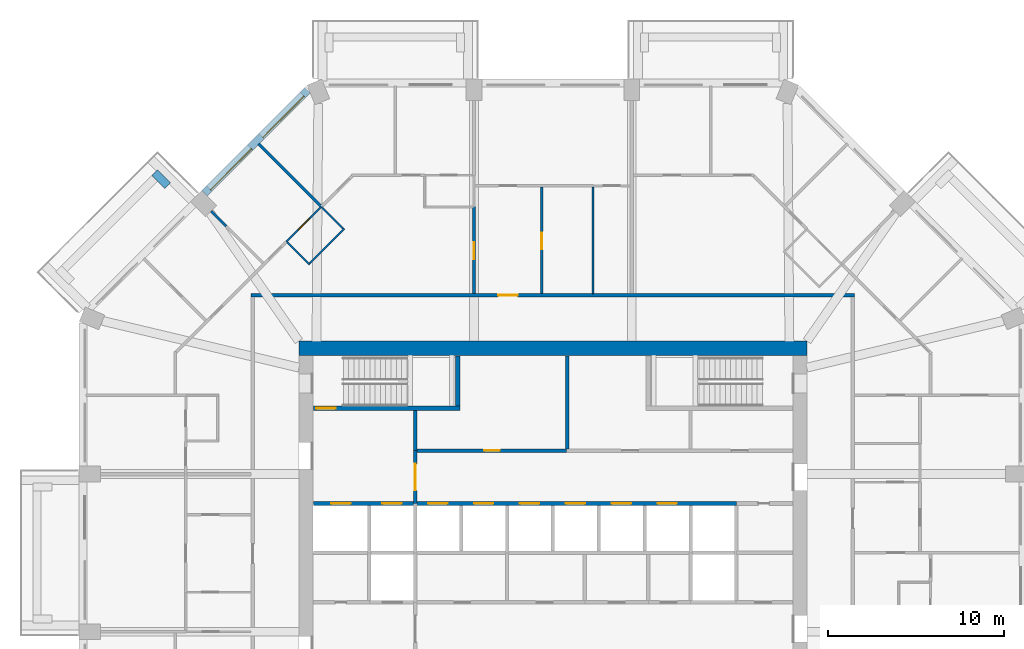
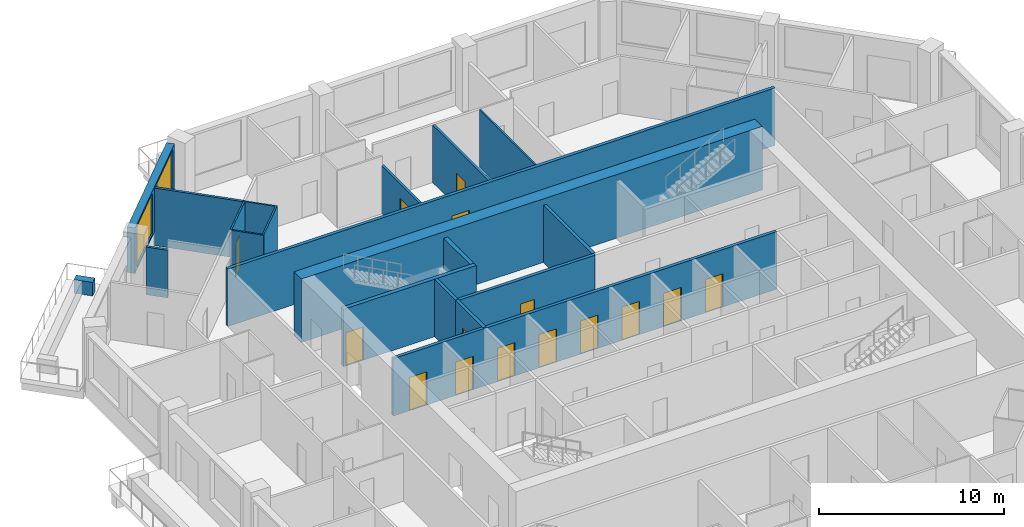
# One storey, part 8 of 13: 20 walls, 15 doors, 2 windows, 17 openings.
"""IFC4 building model written with IfcOpenShell, lengths in metres."""

from ifc_helpers import new_model, si_unit, direction, frame, frame_2d, origin, place, context, subcontext, project, spatial, rectangle, extrude, material, layer, layer_set, type_object, element, fill, save


model = new_model("IFC4")

# Units and contexts
model_context = context("Model", 3, precision=1e-05, world=origin(), true_north=direction((0.0, 1.0)))
body_context = subcontext(model_context, "Body", "Model", "MODEL_VIEW")
ifc_project = project(units=[si_unit("LENGTHUNIT", "METRE"), si_unit("AREAUNIT", "SQUARE_METRE"), si_unit("VOLUMEUNIT", "CUBIC_METRE"), si_unit("PLANEANGLEUNIT", "RADIAN"), si_unit("MASSUNIT", "GRAM", prefix="KILO")], contexts=[model_context])

# Site, building, storey
site_placement = place(None, origin())
site = spatial("IfcSite", under=ifc_project, at=site_placement, CompositionType="ELEMENT")
building_placement = place(site_placement, origin())
building = spatial("IfcBuilding", under=site, at=building_placement, Name="Msitu Wima Residences", CompositionType="ELEMENT")
storey_placement = place(building_placement, frame((0.0, 0.0, 152.699951171875)))
storey = spatial("IfcBuildingStorey", under=building, at=storey_placement, Name="L35", CompositionType="ELEMENT", Elevation=152.699951171875)

# Wall
ifc_material_1 = material(Name="Facing brick")
ifc_layer_1 = layer(ifc_material_1, 0.06494140625, Name="Facing brick")
ifc_material_2 = material(Name="Concrete C40/50", Category="concrete")
ifc_layer_2 = layer(ifc_material_2, 0.156005859375, Name="Concrete C40/50")
ifc_material_3 = material(Name="Waterproofing membrane")
ifc_layer_3 = layer(ifc_material_3, 0.00390625, Name="Waterproofing membrane")
ifc_material_4 = material(Name="Planting soil and planting")
ifc_layer_4 = layer(ifc_material_4, 0.22509765625, Name="Planting soil and planting")
ifc_layer_set_1 = layer_set([ifc_layer_1, ifc_layer_2, ifc_layer_3, ifc_layer_4], Name="Concrete C40/50")
wall_type_1 = type_object("IfcWallType", Name="Balcony planter PLANTER PL450", PredefinedType="USERDEFINED", material=ifc_layer_set_1)
wall_1_placement = place(storey_placement, frame((-21.829833984375, 20.804443359375, 0.0), z_axis=(0.0, 0.0, 1.0), x_axis=(-0.707106781187, 0.707106781187, 0.0)))
element("IfcWall", 1, at=wall_1_placement, inside=storey, type_object=wall_type_1, Name="Balcony planter NW1 L35", ObjectType="PLANTER", PredefinedType="USERDEFINED", context=body_context, shape_type="SweptSolid", body=[
    extrude(rectangle(XDim=1.050048828125, YDim=0.449951171875, at=frame_2d((0.52490234375, 0.0))), origin(), (0.0, 0.0, 1.0), 0.900146484375),
])

# Wall, openings, windows
ifc_material_5 = material(Name="Brick (red buff mix)", Category="masonry")
ifc_layer_5 = layer(ifc_material_5, 0.449951171875)
ifc_layer_set_2 = layer_set([ifc_layer_5], Name="Brick (red buff mix)")
wall_type_2 = type_object("IfcWallType", Name="Brick infill wall BW450", PredefinedType="SOLIDWALL", material=ifc_layer_set_2)
wall_2_placement = place(storey_placement, frame((-13.909423828125, 26.214599609375, 0.900146484375), z_axis=(0.0, 0.0, 1.0), x_axis=(-0.707106781187, -0.707106781187, 0.0)))
wall_2 = element("IfcWall", 2, at=wall_2_placement, inside=storey, type_object=wall_type_2, Name="Brick infill wall L35 NW0", PredefinedType="SOLIDWALL", context=body_context, shape_type="SweptSolid", body=[
    extrude(rectangle(XDim=8.251220703125, YDim=0.449951171875, at=frame_2d((4.12548828125, 0.0))), origin(), (0.0, 0.0, 1.0), 3.0),
])
opening_1_placement = place(wall_2_placement, frame((0.37548828125, 0.0, 0.14990234375)))
opening_1 = element("IfcOpeningElement", 3, at=opening_1_placement, cuts=wall_2, Name="Opening W34-35.013", PredefinedType="OPENING", context=body_context, shape_type="SweptSolid", body=[
    extrude(rectangle(XDim=3.300048828125, YDim=2.699951171875, at=frame_2d((1.64990234375, 1.35009765625))), frame((0.0, 0.23486328125, 0.0), z_axis=(0.0, -1.0, 0.0), x_axis=(1.0, 0.0, 0.0)), (0.0, 0.0, 1.0), 0.469970703125),
])
opening_2_placement = place(wall_2_placement, frame((4.57568359375, 0.0, 0.14990234375)))
opening_2 = element("IfcOpeningElement", 4, at=opening_2_placement, cuts=wall_2, Name="Opening W34-35.014", PredefinedType="OPENING", context=body_context, shape_type="SweptSolid", body=[
    extrude(rectangle(XDim=3.300048828125, YDim=2.699951171875, at=frame_2d((1.64990234375, 1.35009765625))), frame((0.0, 0.23486328125, 0.0), z_axis=(0.0, -1.0, 0.0), x_axis=(1.0, 0.0, 0.0)), (0.0, 0.0, 1.0), 0.469970703125),
])
ifc_material_6 = material(Name="Anodised aluminium, bronze finish, clear low-emissivity double glazing", Category="aluminium")
window_type = type_object("IfcWindowType", Name="Window W3300x2700", PartitioningType="DOUBLE_PANEL_VERTICAL", PredefinedType="WINDOW", material=ifc_material_6)
window_1_placement = place(opening_1_placement, origin())
window_1 = element("IfcWindow", 5, at=window_1_placement, inside=storey, type_object=window_type, Name="Window L35 NW0.1", OverallHeight=2.699951171875, OverallWidth=3.300048828125, PartitioningType="SINGLE_PANEL", PredefinedType="WINDOW", context=body_context, shape_type="SweptSolid", body=[
    extrude(rectangle(XDim=3.300048828125, YDim=2.699951171875, at=frame_2d((1.64990234375, 1.35009765625))), frame((0.0, 0.135009765625, 0.0), z_axis=(0.0, -1.0, 0.0), x_axis=(1.0, 0.0, 0.0)), (0.0, 0.0, 1.0), 0.06005859375),
])
fill(opening_1, window_1)
window_2_placement = place(opening_2_placement, origin())
window_2 = element("IfcWindow", 6, at=window_2_placement, inside=storey, type_object=window_type, Name="Window L35 NW0.2", OverallHeight=2.699951171875, OverallWidth=3.300048828125, PartitioningType="SINGLE_PANEL", PredefinedType="WINDOW", context=body_context, shape_type="SweptSolid", body=[
    extrude(rectangle(XDim=3.300048828125, YDim=2.699951171875, at=frame_2d((1.64990234375, 1.35009765625))), frame((0.0, 0.135009765625, 0.0), z_axis=(0.0, -1.0, 0.0), x_axis=(1.0, 0.0, 0.0)), (0.0, 0.0, 1.0), 0.06005859375),
])
fill(opening_2, window_2)

# Wall
ifc_material_7 = material(Name="Concrete C70/85", Category="concrete")
ifc_layer_6 = layer(ifc_material_7, 0.800048828125)
ifc_layer_set_3 = layer_set([ifc_layer_6], Name="Concrete C70/85")
wall_type_3 = type_object("IfcWallType", Name="Core wall CW800 C70/85", PredefinedType="SHEAR", material=ifc_layer_set_3)
wall_3_placement = place(storey_placement, frame((-14.39990234375, 11.60009765625, 0.0), z_axis=(0.0, 0.0, 1.0), x_axis=(1.0, 0.0, 0.0)))
element("IfcWall", 7, at=wall_3_placement, inside=storey, type_object=wall_type_3, Name="Core wall", PredefinedType="SHEAR", context=body_context, shape_type="SweptSolid", body=[
    extrude(rectangle(XDim=28.7998046875, YDim=0.800048828125, at=frame_2d((14.39990234375, 0.0))), origin(), (0.0, 0.0, 1.0), 4.199951171875),
])

# Wall, opening, door
ifc_material_8 = material(Name="Plaster")
ifc_layer_7 = layer(ifc_material_8, 0.011962890625, Name="Plaster")
ifc_material_9 = material(Name="Concrete blockwork", Category="masonry")
ifc_layer_8 = layer(ifc_material_9, 0.176025390625, Name="Concrete blockwork")
ifc_layer_9 = layer(ifc_material_8, 0.011962890625, Name="Plaster")
ifc_layer_set_4 = layer_set([ifc_layer_7, ifc_layer_8, ifc_layer_9], Name="Concrete blockwork")
wall_type_4 = type_object("IfcWallType", Name="Corridor wall FW200", PredefinedType="PARTITIONING", material=ifc_layer_set_4)
wall_4_placement = place(storey_placement, frame((-17.10009765625, 14.60009765625, 0.0), z_axis=(0.0, 0.0, 1.0), x_axis=(1.0, 0.0, 0.0)))
wall_4 = element("IfcWall", 8, at=wall_4_placement, inside=storey, type_object=wall_type_4, Name="Corridor wall", PredefinedType="PARTITIONING", context=body_context, shape_type="SweptSolid", body=[
    extrude(rectangle(XDim=34.2001953125, YDim=0.199951171875, at=frame_2d((17.10009765625, 0.0))), origin(), (0.0, 0.0, 1.0), 3.798095703125),
])
opening_3_placement = place(wall_4_placement, frame((14.0, 0.0, 0.0)))
opening_3 = element("IfcOpeningElement", 9, at=opening_3_placement, cuts=wall_4, Name="Opening D34-35.012", PredefinedType="OPENING", context=body_context, shape_type="SweptSolid", body=[
    extrude(rectangle(XDim=1.10009765625, YDim=2.39990234375, at=frame_2d((0.550048828125, 1.199951171875))), frame((0.0, 0.10986328125, 0.0), z_axis=(0.0, -1.0, 0.0), x_axis=(1.0, 0.0, 0.0)), (0.0, 0.0, 1.0), 0.219970703125),
])
ifc_material_10 = material(Name="Timber flush door, fire resisting, self-closing", Category="wood")
door_type_1 = type_object("IfcDoorType", Name="Flat entrance door D01 1100x2400", OperationType="SINGLE_SWING_LEFT", PredefinedType="DOOR", material=ifc_material_10)
door_1_placement = place(opening_3_placement, origin())
door_1 = element("IfcDoor", 10, at=door_1_placement, inside=storey, type_object=door_type_1, Name="Flat entrance door", OperationType="SINGLE_SWING_LEFT", OverallHeight=2.39990234375, OverallWidth=1.10009765625, PredefinedType="DOOR", context=body_context, shape_type="SweptSolid", body=[
    extrude(rectangle(XDim=1.10009765625, YDim=2.39990234375, at=frame_2d((0.550048828125, 1.199951171875))), frame((0.0, 0.02490234375, 0.0), z_axis=(0.0, -1.0, 0.0), x_axis=(1.0, 0.0, 0.0)), (0.0, 0.0, 1.0), 0.050048828125),
])
fill(opening_3, door_1)

wall_5_placement = place(storey_placement, frame((-7.800048828125, 2.800048828125, 0.0), z_axis=(0.0, 0.0, 1.0), x_axis=(0.0, 1.0, 0.0)))
wall_5 = element("IfcWall", 11, at=wall_5_placement, inside=storey, type_object=wall_type_4, Name="Corridor wall", PredefinedType="PARTITIONING", context=body_context, shape_type="SweptSolid", body=[
    extrude(rectangle(XDim=3.0, YDim=0.199951171875, at=frame_2d((1.5, 0.0))), origin(), (0.0, 0.0, 1.0), 3.798095703125),
])
opening_4_placement = place(wall_5_placement, frame((0.75, 0.0, 0.0)))
opening_4 = element("IfcOpeningElement", 12, at=opening_4_placement, cuts=wall_5, Name="Opening D34-35.017", PredefinedType="OPENING", context=body_context, shape_type="SweptSolid", body=[
    extrude(rectangle(XDim=1.5, YDim=2.39990234375, at=frame_2d((0.75, 1.199951171875))), frame((0.0, 0.10986328125, 0.0), z_axis=(0.0, -1.0, 0.0), x_axis=(1.0, 0.0, 0.0)), (0.0, 0.0, 1.0), 0.219970703125),
])
ifc_material_11 = material(Name="Steel framed glazed door, fire resisting", Category="steel")
door_type_2 = type_object("IfcDoorType", Name="Lobby door D07 1500x2400", OperationType="DOUBLE_DOOR_SINGLE_SWING", PredefinedType="DOOR", material=ifc_material_11)
door_2_placement = place(opening_4_placement, origin())
door_2 = element("IfcDoor", 13, at=door_2_placement, inside=storey, type_object=door_type_2, Name="Lobby door", OperationType="DOUBLE_DOOR_SINGLE_SWING", OverallHeight=2.39990234375, OverallWidth=1.5, PredefinedType="DOOR", context=body_context, shape_type="SweptSolid", body=[
    extrude(rectangle(XDim=1.5, YDim=2.39990234375, at=frame_2d((0.75, 1.199951171875))), frame((0.0, 0.02490234375, 0.0), z_axis=(0.0, -1.0, 0.0), x_axis=(1.0, 0.0, 0.0)), (0.0, 0.0, 1.0), 0.050048828125),
])
fill(opening_4, door_2)

# Walls
ifc_layer_10 = layer(ifc_material_8, 0.011962890625, Name="Plaster")
ifc_layer_11 = layer(ifc_material_9, 0.1259765625, Name="Concrete blockwork")
ifc_layer_12 = layer(ifc_material_8, 0.011962890625, Name="Plaster")
ifc_layer_set_5 = layer_set([ifc_layer_10, ifc_layer_11, ifc_layer_12], Name="Concrete blockwork")
wall_type_5 = type_object("IfcWallType", Name="Partition PW150", PredefinedType="PARTITIONING", material=ifc_layer_set_5)
wall_6_placement = place(storey_placement, frame((-19.37255859375, 19.37255859375, 0.0), z_axis=(0.0, 0.0, 1.0), x_axis=(0.707106781187, -0.707106781187, 0.0)))
element("IfcWall", 14, at=wall_6_placement, inside=storey, type_object=wall_type_5, Name="Partition", PredefinedType="PARTITIONING", context=body_context, shape_type="SweptSolid", body=[
    extrude(rectangle(XDim=1.209228515625, YDim=0.14990234375, at=frame_2d((0.6044921875, 0.0))), origin(), (0.0, 0.0, 1.0), 3.150146484375),
])
wall_7_placement = place(storey_placement, frame((-16.693359375, 23.1904296875, 0.0), z_axis=(0.0, 0.0, 1.0), x_axis=(0.707106781187, -0.707106781187, 0.0)))
element("IfcWall", 15, at=wall_7_placement, inside=storey, type_object=wall_type_5, Name="Partition", PredefinedType="PARTITIONING", context=body_context, shape_type="SweptSolid", body=[
    extrude(rectangle(XDim=5.0751953125, YDim=0.14990234375, at=frame_2d((2.53759765625, 0.0))), origin(), (0.0, 0.0, 1.0), 3.798095703125),
])

# Wall, opening, door
wall_8_placement = place(storey_placement, frame((-4.46875, 14.699951171875, 0.0), z_axis=(0.0, 0.0, 1.0), x_axis=(0.0, 1.0, 0.0)))
wall_8 = element("IfcWall", 16, at=wall_8_placement, inside=storey, type_object=wall_type_5, Name="Partition", PredefinedType="PARTITIONING", context=body_context, shape_type="SweptSolid", body=[
    extrude(rectangle(XDim=4.920166015625, YDim=0.14990234375, at=frame_2d((2.4599609375, 0.0))), origin(), (0.0, 0.0, 1.0), 3.150146484375),
])
opening_5_placement = place(wall_8_placement, frame((1.949951171875, 0.0, 0.0)))
opening_5 = element("IfcOpeningElement", 17, at=opening_5_placement, cuts=wall_8, Name="Opening D34-35.044", PredefinedType="OPENING", context=body_context, shape_type="SweptSolid", body=[
    extrude(rectangle(XDim=0.949951171875, YDim=2.199951171875, at=frame_2d((0.47509765625, 1.10009765625))), frame((0.0, 0.0849609375, 0.0), z_axis=(0.0, -1.0, 0.0), x_axis=(1.0, 0.0, 0.0)), (0.0, 0.0, 1.0), 0.169921875),
])
ifc_material_12 = material(Name="Timber flush door", Category="wood")
door_type_3 = type_object("IfcDoorType", Name="Room door D12 950x2200", OperationType="SINGLE_SWING_LEFT", PredefinedType="DOOR", material=ifc_material_12)
door_3_placement = place(opening_5_placement, origin())
door_3 = element("IfcDoor", 18, at=door_3_placement, inside=storey, type_object=door_type_3, Name="Room door", OperationType="SINGLE_SWING_LEFT", OverallHeight=2.199951171875, OverallWidth=0.949951171875, PredefinedType="DOOR", context=body_context, shape_type="SweptSolid", body=[
    extrude(rectangle(XDim=0.949951171875, YDim=2.199951171875, at=frame_2d((0.47509765625, 1.10009765625))), frame((0.0, 0.02490234375, 0.0), z_axis=(0.0, -1.0, 0.0), x_axis=(1.0, 0.0, 0.0)), (0.0, 0.0, 1.0), 0.050048828125),
])
fill(opening_5, door_3)

wall_9_placement = place(storey_placement, frame((-0.63134765625, 14.699951171875, 0.0), z_axis=(0.0, 0.0, 1.0), x_axis=(0.0, 1.0, 0.0)))
wall_9 = element("IfcWall", 19, at=wall_9_placement, inside=storey, type_object=wall_type_5, Name="Partition", PredefinedType="PARTITIONING", context=body_context, shape_type="SweptSolid", body=[
    extrude(rectangle(XDim=6.025146484375, YDim=0.14990234375, at=frame_2d((3.0126953125, 0.0))), origin(), (0.0, 0.0, 1.0), 3.798095703125),
])
opening_6_placement = place(wall_9_placement, frame((2.5, 0.0, 0.0)))
opening_6 = element("IfcOpeningElement", 20, at=opening_6_placement, cuts=wall_9, Name="Opening D34-35.052", PredefinedType="OPENING", context=body_context, shape_type="SweptSolid", body=[
    extrude(rectangle(XDim=0.949951171875, YDim=2.199951171875, at=frame_2d((0.47509765625, 1.10009765625))), frame((0.0, 0.0849609375, 0.0), z_axis=(0.0, -1.0, 0.0), x_axis=(1.0, 0.0, 0.0)), (0.0, 0.0, 1.0), 0.169921875),
])
door_4_placement = place(opening_6_placement, origin())
door_4 = element("IfcDoor", 21, at=door_4_placement, inside=storey, type_object=door_type_3, Name="Room door", OperationType="SINGLE_SWING_RIGHT", OverallHeight=2.199951171875, OverallWidth=0.949951171875, PredefinedType="DOOR", context=body_context, shape_type="SweptSolid", body=[
    extrude(rectangle(XDim=0.949951171875, YDim=2.199951171875, at=frame_2d((0.47509765625, 1.10009765625))), frame((0.0, 0.02490234375, 0.0), z_axis=(0.0, -1.0, 0.0), x_axis=(1.0, 0.0, 0.0)), (0.0, 0.0, 1.0), 0.050048828125),
])
fill(opening_6, door_4)

# Wall
ifc_layer_13 = layer(ifc_material_8, 0.011962890625, Name="Plaster")
ifc_material_13 = material(Name="Reinforced concrete blockwork", Category="masonry")
ifc_layer_14 = layer(ifc_material_13, 0.176025390625, Name="Reinforced concrete blockwork")
ifc_layer_15 = layer(ifc_material_8, 0.011962890625, Name="Plaster")
ifc_layer_set_6 = layer_set([ifc_layer_13, ifc_layer_14, ifc_layer_15], Name="Reinforced concrete blockwork")
wall_type_6 = type_object("IfcWallType", Name="Plant and riser wall PL200", PredefinedType="PARTITIONING", material=ifc_layer_set_6)
wall_10_placement = place(storey_placement, frame((-7.800048828125, 5.800048828125, 0.0), z_axis=(0.0, 0.0, 1.0), x_axis=(0.0, 1.0, 0.0)))
element("IfcWall", 22, at=wall_10_placement, inside=storey, type_object=wall_type_6, Name="Plant and riser wall", PredefinedType="PARTITIONING", context=body_context, shape_type="SweptSolid", body=[
    extrude(rectangle(XDim=2.27490234375, YDim=0.199951171875, at=frame_2d((1.137451171875, 0.0))), origin(), (0.0, 0.0, 1.0), 3.798095703125),
])

# Wall, opening, door
wall_11_placement = place(storey_placement, frame((-7.699951171875, 5.800048828125, 0.0), z_axis=(0.0, 0.0, 1.0), x_axis=(1.0, 0.0, 0.0)))
wall_11 = element("IfcWall", 23, at=wall_11_placement, inside=storey, type_object=wall_type_6, Name="Plant and riser wall", PredefinedType="PARTITIONING", context=body_context, shape_type="SweptSolid", body=[
    extrude(rectangle(XDim=8.47998046875, YDim=0.199951171875, at=frame_2d((4.239990234375, 0.0))), origin(), (0.0, 0.0, 1.0), 3.798095703125),
])
opening_7_placement = place(wall_11_placement, frame((3.800048828125, 0.0, 0.0)))
opening_7 = element("IfcOpeningElement", 24, at=opening_7_placement, cuts=wall_11, Name="Opening D34-35.020", PredefinedType="OPENING", context=body_context, shape_type="SweptSolid", body=[
    extrude(rectangle(XDim=0.89990234375, YDim=2.199951171875, at=frame_2d((0.449951171875, 1.10009765625))), frame((0.0, 0.10986328125, 0.0), z_axis=(0.0, -1.0, 0.0), x_axis=(1.0, 0.0, 0.0)), (0.0, 0.0, 1.0), 0.219970703125),
])
door_type_4 = type_object("IfcDoorType", Name="Service door D05 900x2200", OperationType="SINGLE_SWING_LEFT", PredefinedType="DOOR", material=ifc_material_12)
door_5_placement = place(opening_7_placement, origin())
door_5 = element("IfcDoor", 25, at=door_5_placement, inside=storey, type_object=door_type_4, Name="Service door", OperationType="SINGLE_SWING_RIGHT", OverallHeight=2.199951171875, OverallWidth=0.89990234375, PredefinedType="DOOR", context=body_context, shape_type="SweptSolid", body=[
    extrude(rectangle(XDim=0.89990234375, YDim=2.199951171875, at=frame_2d((0.449951171875, 1.10009765625))), frame((0.0, 0.02490234375, 0.0), z_axis=(0.0, -1.0, 0.0), x_axis=(1.0, 0.0, 0.0)), (0.0, 0.0, 1.0), 0.050048828125),
])
fill(opening_7, door_5)

# Wall
wall_12_placement = place(storey_placement, frame((0.800048828125, 5.89990234375, 0.0), z_axis=(0.0, 0.0, 1.0), x_axis=(0.0, 1.0, 0.0)))
element("IfcWall", 26, at=wall_12_placement, inside=storey, type_object=wall_type_6, Name="Plant and riser wall", PredefinedType="PARTITIONING", context=body_context, shape_type="SweptSolid", body=[
    extrude(rectangle(XDim=5.27001953125, YDim=0.199951171875, at=frame_2d((2.635009765625, 0.0))), origin(), (0.0, 0.0, 1.0), 3.798095703125),
])

# Wall, openings, doors
ifc_material_14 = material(Name="Fire-rated board")
ifc_layer_16 = layer(ifc_material_14, 0.02490234375, Name="Fire-rated board")
ifc_material_15 = material(Name="Light-gauge stud framing with mineral wool")
ifc_layer_17 = layer(ifc_material_15, 0.14990234375, Name="Light-gauge stud framing with mineral wool")
ifc_layer_18 = layer(ifc_material_14, 0.02490234375, Name="Fire-rated board")
ifc_layer_set_7 = layer_set([ifc_layer_16, ifc_layer_17, ifc_layer_18], Name="Light-gauge stud framing with mineral wool")
wall_type_7 = type_object("IfcWallType", Name="Shaft wall SH200", PredefinedType="PARTITIONING", material=ifc_layer_set_7)
wall_13_placement = place(storey_placement, frame((-13.570068359375, 2.800048828125, 0.0), z_axis=(0.0, 0.0, 1.0), x_axis=(1.0, 0.0, 0.0)))
wall_13 = element("IfcWall", 27, at=wall_13_placement, inside=storey, type_object=wall_type_7, Name="Shaft wall", PredefinedType="PARTITIONING", context=body_context, shape_type="SweptSolid", body=[
    extrude(rectangle(XDim=23.969970703125, YDim=0.199951171875, at=frame_2d((11.98486328125, 0.0))), origin(), (0.0, 0.0, 1.0), 3.798095703125),
])
opening_8_placement = place(wall_13_placement, frame((1.0, 0.0, 0.0)))
opening_8 = element("IfcOpeningElement", 28, at=opening_8_placement, cuts=wall_13, Name="Opening LD", PredefinedType="OPENING", context=body_context, shape_type="SweptSolid", body=[
    extrude(rectangle(XDim=1.10009765625, YDim=2.199951171875, at=frame_2d((0.550048828125, 1.10009765625))), frame((0.0, 0.10986328125, 0.0), z_axis=(0.0, -1.0, 0.0), x_axis=(1.0, 0.0, 0.0)), (0.0, 0.0, 1.0), 0.219970703125),
])
opening_9_placement = place(wall_13_placement, frame((3.89990234375, 0.0, 0.0)))
opening_9 = element("IfcOpeningElement", 29, at=opening_9_placement, cuts=wall_13, Name="Opening LD", PredefinedType="OPENING", context=body_context, shape_type="SweptSolid", body=[
    extrude(rectangle(XDim=1.10009765625, YDim=2.199951171875, at=frame_2d((0.550048828125, 1.10009765625))), frame((0.0, 0.10986328125, 0.0), z_axis=(0.0, -1.0, 0.0), x_axis=(1.0, 0.0, 0.0)), (0.0, 0.0, 1.0), 0.219970703125),
])
opening_10_placement = place(wall_13_placement, frame((6.5, 0.0, 0.0)))
opening_10 = element("IfcOpeningElement", 30, at=opening_10_placement, cuts=wall_13, Name="Opening LD", PredefinedType="OPENING", context=body_context, shape_type="SweptSolid", body=[
    extrude(rectangle(XDim=1.10009765625, YDim=2.199951171875, at=frame_2d((0.550048828125, 1.10009765625))), frame((0.0, 0.10986328125, 0.0), z_axis=(0.0, -1.0, 0.0), x_axis=(1.0, 0.0, 0.0)), (0.0, 0.0, 1.0), 0.219970703125),
])
opening_11_placement = place(wall_13_placement, frame((9.10009765625, 0.0, 0.0)))
opening_11 = element("IfcOpeningElement", 31, at=opening_11_placement, cuts=wall_13, Name="Opening LD", PredefinedType="OPENING", context=body_context, shape_type="SweptSolid", body=[
    extrude(rectangle(XDim=1.10009765625, YDim=2.199951171875, at=frame_2d((0.550048828125, 1.10009765625))), frame((0.0, 0.10986328125, 0.0), z_axis=(0.0, -1.0, 0.0), x_axis=(1.0, 0.0, 0.0)), (0.0, 0.0, 1.0), 0.219970703125),
])
opening_12_placement = place(wall_13_placement, frame((11.699951171875, 0.0, 0.0)))
opening_12 = element("IfcOpeningElement", 32, at=opening_12_placement, cuts=wall_13, Name="Opening LD", PredefinedType="OPENING", context=body_context, shape_type="SweptSolid", body=[
    extrude(rectangle(XDim=1.10009765625, YDim=2.199951171875, at=frame_2d((0.550048828125, 1.10009765625))), frame((0.0, 0.10986328125, 0.0), z_axis=(0.0, -1.0, 0.0), x_axis=(1.0, 0.0, 0.0)), (0.0, 0.0, 1.0), 0.219970703125),
])
opening_13_placement = place(wall_13_placement, frame((14.300048828125, 0.0, 0.0)))
opening_13 = element("IfcOpeningElement", 33, at=opening_13_placement, cuts=wall_13, Name="Opening LD", PredefinedType="OPENING", context=body_context, shape_type="SweptSolid", body=[
    extrude(rectangle(XDim=1.10009765625, YDim=2.199951171875, at=frame_2d((0.550048828125, 1.10009765625))), frame((0.0, 0.10986328125, 0.0), z_axis=(0.0, -1.0, 0.0), x_axis=(1.0, 0.0, 0.0)), (0.0, 0.0, 1.0), 0.219970703125),
])
opening_14_placement = place(wall_13_placement, frame((16.89990234375, 0.0, 0.0)))
opening_14 = element("IfcOpeningElement", 34, at=opening_14_placement, cuts=wall_13, Name="Opening LD", PredefinedType="OPENING", context=body_context, shape_type="SweptSolid", body=[
    extrude(rectangle(XDim=1.10009765625, YDim=2.199951171875, at=frame_2d((0.550048828125, 1.10009765625))), frame((0.0, 0.10986328125, 0.0), z_axis=(0.0, -1.0, 0.0), x_axis=(1.0, 0.0, 0.0)), (0.0, 0.0, 1.0), 0.219970703125),
])
opening_15_placement = place(wall_13_placement, frame((19.5, 0.0, 0.0)))
opening_15 = element("IfcOpeningElement", 35, at=opening_15_placement, cuts=wall_13, Name="Opening LD", PredefinedType="OPENING", context=body_context, shape_type="SweptSolid", body=[
    extrude(rectangle(XDim=1.10009765625, YDim=2.199951171875, at=frame_2d((0.550048828125, 1.10009765625))), frame((0.0, 0.10986328125, 0.0), z_axis=(0.0, -1.0, 0.0), x_axis=(1.0, 0.0, 0.0)), (0.0, 0.0, 1.0), 0.219970703125),
])
ifc_material_16 = material(Name="Stainless steel centre-opening landing door, rated", Category="steel")
door_type_5 = type_object("IfcDoorType", Name="Lift landing door LD 1100x2200", OperationType="DOUBLE_DOOR_SLIDING", PredefinedType="DOOR", material=ifc_material_16)
door_6_placement = place(opening_8_placement, origin())
door_6 = element("IfcDoor", 36, at=door_6_placement, inside=storey, type_object=door_type_5, Name="Lift landing door LD1", OperationType="DOUBLE_DOOR_SLIDING", OverallHeight=2.199951171875, OverallWidth=1.10009765625, PredefinedType="DOOR", context=body_context, shape_type="SweptSolid", body=[
    extrude(rectangle(XDim=1.10009765625, YDim=2.199951171875, at=frame_2d((0.550048828125, 1.10009765625))), frame((0.0, 0.02490234375, 0.0), z_axis=(0.0, -1.0, 0.0), x_axis=(1.0, 0.0, 0.0)), (0.0, 0.0, 1.0), 0.050048828125),
])
fill(opening_8, door_6)
door_7_placement = place(opening_9_placement, origin())
door_7 = element("IfcDoor", 37, at=door_7_placement, inside=storey, type_object=door_type_5, Name="Lift landing door LD2", OperationType="DOUBLE_DOOR_SLIDING", OverallHeight=2.199951171875, OverallWidth=1.10009765625, PredefinedType="DOOR", context=body_context, shape_type="SweptSolid", body=[
    extrude(rectangle(XDim=1.10009765625, YDim=2.199951171875, at=frame_2d((0.550048828125, 1.10009765625))), frame((0.0, 0.02490234375, 0.0), z_axis=(0.0, -1.0, 0.0), x_axis=(1.0, 0.0, 0.0)), (0.0, 0.0, 1.0), 0.050048828125),
])
fill(opening_9, door_7)
door_8_placement = place(opening_10_placement, origin())
door_8 = element("IfcDoor", 38, at=door_8_placement, inside=storey, type_object=door_type_5, Name="Lift landing door LD4", OperationType="DOUBLE_DOOR_SLIDING", OverallHeight=2.199951171875, OverallWidth=1.10009765625, PredefinedType="DOOR", context=body_context, shape_type="SweptSolid", body=[
    extrude(rectangle(XDim=1.10009765625, YDim=2.199951171875, at=frame_2d((0.550048828125, 1.10009765625))), frame((0.0, 0.02490234375, 0.0), z_axis=(0.0, -1.0, 0.0), x_axis=(1.0, 0.0, 0.0)), (0.0, 0.0, 1.0), 0.050048828125),
])
fill(opening_10, door_8)
door_9_placement = place(opening_11_placement, origin())
door_9 = element("IfcDoor", 39, at=door_9_placement, inside=storey, type_object=door_type_5, Name="Lift landing door LD6", OperationType="DOUBLE_DOOR_SLIDING", OverallHeight=2.199951171875, OverallWidth=1.10009765625, PredefinedType="DOOR", context=body_context, shape_type="SweptSolid", body=[
    extrude(rectangle(XDim=1.10009765625, YDim=2.199951171875, at=frame_2d((0.550048828125, 1.10009765625))), frame((0.0, 0.02490234375, 0.0), z_axis=(0.0, -1.0, 0.0), x_axis=(1.0, 0.0, 0.0)), (0.0, 0.0, 1.0), 0.050048828125),
])
fill(opening_11, door_9)
door_10_placement = place(opening_12_placement, origin())
door_10 = element("IfcDoor", 40, at=door_10_placement, inside=storey, type_object=door_type_5, Name="Lift landing door LD8", OperationType="DOUBLE_DOOR_SLIDING", OverallHeight=2.199951171875, OverallWidth=1.10009765625, PredefinedType="DOOR", context=body_context, shape_type="SweptSolid", body=[
    extrude(rectangle(XDim=1.10009765625, YDim=2.199951171875, at=frame_2d((0.550048828125, 1.10009765625))), frame((0.0, 0.02490234375, 0.0), z_axis=(0.0, -1.0, 0.0), x_axis=(1.0, 0.0, 0.0)), (0.0, 0.0, 1.0), 0.050048828125),
])
fill(opening_12, door_10)
door_11_placement = place(opening_13_placement, origin())
door_11 = element("IfcDoor", 41, at=door_11_placement, inside=storey, type_object=door_type_5, Name="Lift landing door LD10", OperationType="DOUBLE_DOOR_SLIDING", OverallHeight=2.199951171875, OverallWidth=1.10009765625, PredefinedType="DOOR", context=body_context, shape_type="SweptSolid", body=[
    extrude(rectangle(XDim=1.10009765625, YDim=2.199951171875, at=frame_2d((0.550048828125, 1.10009765625))), frame((0.0, 0.02490234375, 0.0), z_axis=(0.0, -1.0, 0.0), x_axis=(1.0, 0.0, 0.0)), (0.0, 0.0, 1.0), 0.050048828125),
])
fill(opening_13, door_11)
door_12_placement = place(opening_14_placement, origin())
door_12 = element("IfcDoor", 42, at=door_12_placement, inside=storey, type_object=door_type_5, Name="Lift landing door LD12", OperationType="DOUBLE_DOOR_SLIDING", OverallHeight=2.199951171875, OverallWidth=1.10009765625, PredefinedType="DOOR", context=body_context, shape_type="SweptSolid", body=[
    extrude(rectangle(XDim=1.10009765625, YDim=2.199951171875, at=frame_2d((0.550048828125, 1.10009765625))), frame((0.0, 0.02490234375, 0.0), z_axis=(0.0, -1.0, 0.0), x_axis=(1.0, 0.0, 0.0)), (0.0, 0.0, 1.0), 0.050048828125),
])
fill(opening_14, door_12)
door_13_placement = place(opening_15_placement, origin())
door_13 = element("IfcDoor", 43, at=door_13_placement, inside=storey, type_object=door_type_5, Name="Lift landing door LD14", OperationType="DOUBLE_DOOR_SLIDING", OverallHeight=2.199951171875, OverallWidth=1.10009765625, PredefinedType="DOOR", context=body_context, shape_type="SweptSolid", body=[
    extrude(rectangle(XDim=1.10009765625, YDim=2.199951171875, at=frame_2d((0.550048828125, 1.10009765625))), frame((0.0, 0.02490234375, 0.0), z_axis=(0.0, -1.0, 0.0), x_axis=(1.0, 0.0, 0.0)), (0.0, 0.0, 1.0), 0.050048828125),
])
fill(opening_15, door_13)

# Wall, opening, door
ifc_material_17 = material(Name="Concrete C50/60", Category="concrete")
ifc_layer_19 = layer(ifc_material_17, 0.25)
ifc_layer_set_8 = layer_set([ifc_layer_19], Name="Concrete C50/60")
wall_type_8 = type_object("IfcWallType", Name="Stair enclosure wall SW250", PredefinedType="SHEAR", material=ifc_layer_set_8)
wall_14_placement = place(storey_placement, frame((-13.570068359375, 8.199951171875, 0.0), z_axis=(0.0, 0.0, 1.0), x_axis=(1.0, 0.0, 0.0)))
wall_14 = element("IfcWall", 44, at=wall_14_placement, inside=storey, type_object=wall_type_8, Name="Stair enclosure wall", PredefinedType="SHEAR", context=body_context, shape_type="SweptSolid", body=[
    extrude(rectangle(XDim=8.295166015625, YDim=0.25, at=frame_2d((4.1474609375, 0.0))), origin(), (0.0, 0.0, 1.0), 3.798095703125),
])
opening_16_placement = place(wall_14_placement, frame((0.14990234375, 0.0, 0.0)))
opening_16 = element("IfcOpeningElement", 45, at=opening_16_placement, cuts=wall_14, Name="Opening D34-35.034", PredefinedType="OPENING", context=body_context, shape_type="SweptSolid", body=[
    extrude(rectangle(XDim=1.10009765625, YDim=2.199951171875, at=frame_2d((0.550048828125, 1.10009765625))), frame((0.0, 0.135009765625, 0.0), z_axis=(0.0, -1.0, 0.0), x_axis=(1.0, 0.0, 0.0)), (0.0, 0.0, 1.0), 0.27001953125),
])
ifc_material_18 = material(Name="Steel door, fire resisting, panic bar", Category="steel")
door_type_6 = type_object("IfcDoorType", Name="Stair door D06 1100x2200", OperationType="SINGLE_SWING_LEFT", PredefinedType="DOOR", material=ifc_material_18)
door_14_placement = place(opening_16_placement, origin())
door_14 = element("IfcDoor", 46, at=door_14_placement, inside=storey, type_object=door_type_6, Name="Stair door", OperationType="SINGLE_SWING_LEFT", OverallHeight=2.199951171875, OverallWidth=1.10009765625, PredefinedType="DOOR", context=body_context, shape_type="SweptSolid", body=[
    extrude(rectangle(XDim=1.10009765625, YDim=2.199951171875, at=frame_2d((0.550048828125, 1.10009765625))), frame((0.0, 0.02490234375, 0.0), z_axis=(0.0, -1.0, 0.0), x_axis=(1.0, 0.0, 0.0)), (0.0, 0.0, 1.0), 0.050048828125),
])
fill(opening_16, door_14)

# Wall
wall_15_placement = place(storey_placement, frame((-5.39990234375, 8.324951171875, 0.0), z_axis=(0.0, 0.0, 1.0), x_axis=(0.0, 1.0, 0.0)))
element("IfcWall", 47, at=wall_15_placement, inside=storey, type_object=wall_type_8, Name="Stair enclosure wall", PredefinedType="SHEAR", context=body_context, shape_type="SweptSolid", body=[
    extrude(rectangle(XDim=2.844970703125, YDim=0.25, at=frame_2d((1.42236328125, 0.0))), origin(), (0.0, 0.0, 1.0), 3.798095703125),
])

# Wall, opening, door
ifc_material_19 = material(Name="Ceramic tiles")
ifc_layer_20 = layer(ifc_material_19, 0.008056640625, Name="Ceramic tiles")
ifc_material_20 = material(Name="Moisture-resistant board")
ifc_layer_21 = layer(ifc_material_20, 0.012451171875, Name="Moisture-resistant board")
ifc_layer_22 = layer(ifc_material_15, 0.06689453125, Name="Light-gauge stud framing with mineral wool")
ifc_layer_23 = layer(ifc_material_20, 0.012451171875, Name="Moisture-resistant board")
ifc_layer_set_9 = layer_set([ifc_layer_20, ifc_layer_21, ifc_layer_22, ifc_layer_23], Name="Light-gauge stud framing with mineral wool")
wall_type_9 = type_object("IfcWallType", Name="Wet wall PW100", PredefinedType="PARTITIONING", material=ifc_layer_set_9)
wall_16_placement = place(storey_placement, frame((-15.098876953125, 17.635986328125, 0.0), z_axis=(0.0, 0.0, 1.0), x_axis=(0.707106781187, 0.707106781187, 0.0)))
wall_16 = element("IfcWall", 48, at=wall_16_placement, inside=storey, type_object=wall_type_9, Name="Wet wall", PredefinedType="PARTITIONING", context=body_context, shape_type="SweptSolid", body=[
    extrude(rectangle(XDim=2.800048828125, YDim=0.10009765625, at=frame_2d((1.39990234375, 0.0))), origin(), (0.0, 0.0, 1.0), 3.798095703125),
])
opening_17_placement = place(wall_16_placement, frame((0.949951171875, 0.0, 0.0)))
opening_17 = element("IfcOpeningElement", 49, at=opening_17_placement, cuts=wall_16, Name="Opening D34-35.048", PredefinedType="OPENING", context=body_context, shape_type="SweptSolid", body=[
    extrude(rectangle(XDim=0.89990234375, YDim=2.199951171875, at=frame_2d((0.449951171875, 1.10009765625))), frame((0.0, 0.06005859375, 0.0), z_axis=(0.0, -1.0, 0.0), x_axis=(1.0, 0.0, 0.0)), (0.0, 0.0, 1.0), 0.1201171875),
])
ifc_material_21 = material(Name="Timber flush door, moisture resistant", Category="wood")
door_type_7 = type_object("IfcDoorType", Name="Bathroom door D03 900x2200", OperationType="SINGLE_SWING_LEFT", PredefinedType="DOOR", material=ifc_material_21)
door_15_placement = place(opening_17_placement, origin())
door_15 = element("IfcDoor", 50, at=door_15_placement, inside=storey, type_object=door_type_7, Name="Bathroom door", OperationType="SINGLE_SWING_LEFT", OverallHeight=2.199951171875, OverallWidth=0.89990234375, PredefinedType="DOOR", context=body_context, shape_type="SweptSolid", body=[
    extrude(rectangle(XDim=0.89990234375, YDim=2.199951171875, at=frame_2d((0.449951171875, 1.10009765625))), frame((0.0, 0.02490234375, 0.0), z_axis=(0.0, -1.0, 0.0), x_axis=(1.0, 0.0, 0.0)), (0.0, 0.0, 1.0), 0.050048828125),
])
fill(opening_17, door_15)

# Walls
wall_17_placement = place(storey_placement, frame((-15.0634765625, 17.6005859375, 0.0), z_axis=(0.0, 0.0, 1.0), x_axis=(0.707174592913, -0.707038962956, 0.0)))
element("IfcWall", 51, at=wall_17_placement, inside=storey, type_object=wall_type_9, Name="Wet wall", PredefinedType="PARTITIONING", context=body_context, shape_type="SweptSolid", body=[
    extrude(rectangle(XDim=1.800048828125, YDim=0.10009765625, at=frame_2d((0.89990234375, 0.0))), origin(), (0.0, 0.0, 1.0), 3.798095703125),
])
wall_18_placement = place(storey_placement, frame((-13.79052734375, 16.398681640625, 0.0), z_axis=(0.0, 0.0, 1.0), x_axis=(0.707106781187, 0.707106781187, 0.0)))
element("IfcWall", 52, at=wall_18_placement, inside=storey, type_object=wall_type_9, Name="Wet wall", PredefinedType="PARTITIONING", context=body_context, shape_type="SweptSolid", body=[
    extrude(rectangle(XDim=2.7998046875, YDim=0.10009765625, at=frame_2d((1.39990234375, 0.0))), origin(), (0.0, 0.0, 1.0), 3.798095703125),
])
wall_19_placement = place(storey_placement, frame((-13.104736328125, 19.601806640625, 0.0), z_axis=(0.0, 0.0, 1.0), x_axis=(0.707106781187, -0.707106781187, 0.0)))
element("IfcWall", 53, at=wall_19_placement, inside=storey, type_object=wall_type_9, Name="Wet wall", PredefinedType="PARTITIONING", context=body_context, shape_type="SweptSolid", body=[
    extrude(rectangle(XDim=1.730224609375, YDim=0.10009765625, at=frame_2d((0.865234375, 0.0))), origin(), (0.0, 0.0, 1.0), 3.798095703125),
])
wall_20_placement = place(storey_placement, frame((2.2685546875, 14.699951171875, 0.0), z_axis=(0.0, 0.0, 1.0), x_axis=(0.0, 1.0, 0.0)))
element("IfcWall", 54, at=wall_20_placement, inside=storey, type_object=wall_type_9, Name="Wet wall", PredefinedType="PARTITIONING", context=body_context, shape_type="SweptSolid", body=[
    extrude(rectangle(XDim=6.025146484375, YDim=0.10009765625, at=frame_2d((3.0126953125, 0.0))), origin(), (0.0, 0.0, 1.0), 3.798095703125),
])

save(model, "model.ifc")
